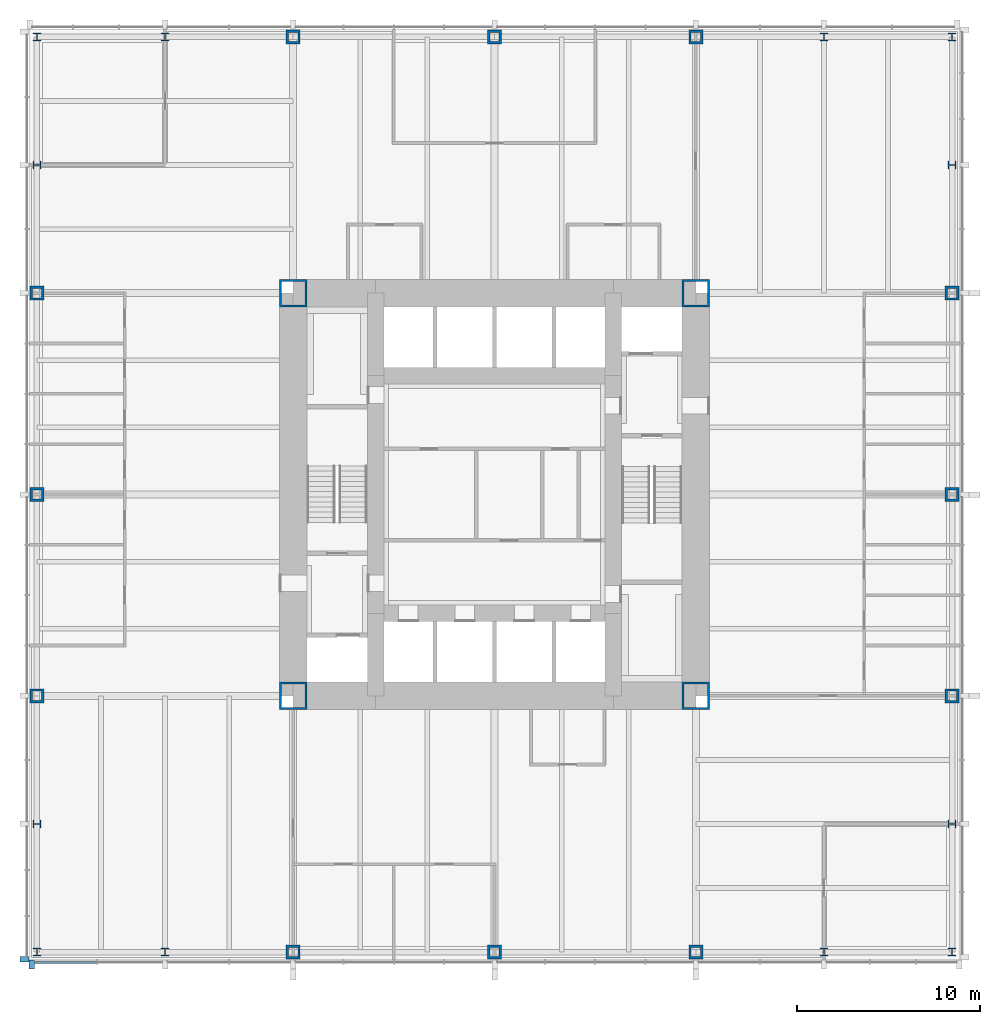
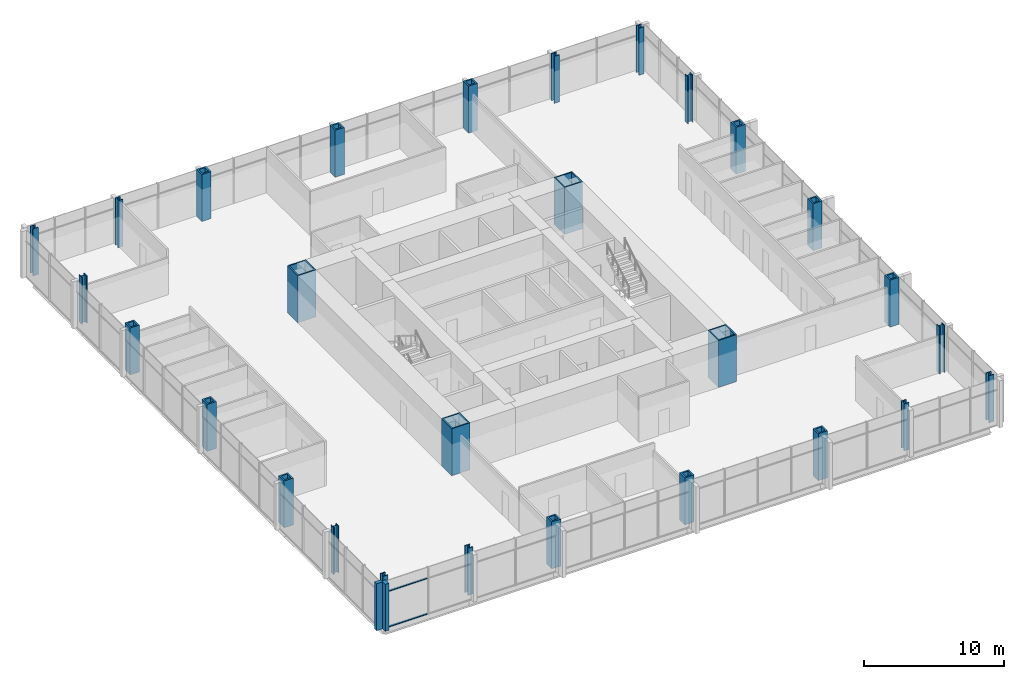
# One storey, part 1 of 13: 28 columns, 4 members, 2 elements without a shape of their own.
"""IFC4 building model written with IfcOpenShell, lengths in metres."""

from ifc_helpers import new_model, si_unit, direction, frame, origin, origin_2d, place, context, subcontext, project, spatial, rectangle, hollow_rectangle, i_section, extrude, material, material_profile, profile_set, type_object, element, aggregate, save


model = new_model("IFC4")

# Units and contexts
model_context = context("Model", 3, precision=1e-05, world=origin(), true_north=direction((0.0, 1.0)))
body_context = subcontext(model_context, "Body", "Model", "MODEL_VIEW")
ifc_project = project(units=[si_unit("LENGTHUNIT", "METRE"), si_unit("AREAUNIT", "SQUARE_METRE"), si_unit("VOLUMEUNIT", "CUBIC_METRE"), si_unit("PLANEANGLEUNIT", "RADIAN"), si_unit("MASSUNIT", "GRAM", prefix="KILO")], contexts=[model_context])

# Site, building, storey
site_placement = place(None, origin())
site = spatial("IfcSite", under=ifc_project, at=site_placement, CompositionType="ELEMENT")
building_placement = place(site_placement, origin())
building = spatial("IfcBuilding", under=site, at=building_placement, Name="Trevanion Tower", CompositionType="ELEMENT")
storey_placement = place(building_placement, frame((0.0, 0.0, 85.699951171875)))
storey = spatial("IfcBuildingStorey", under=building, at=storey_placement, Name="L20", CompositionType="ELEMENT", Elevation=85.699951171875)

# Columns
ifc_material_1 = material(Name="Steel ASTM A588 Grade 50", Category="steel")
ifc_material_profile_1 = material_profile(ifc_material_1, hollow_rectangle(XDim=0.761962890625, YDim=0.761962890625, WallThickness=0.126953125, at=origin_2d()), Name="BOX30X30X5")
ifc_profile_set_1 = profile_set([ifc_material_profile_1], Name="Steel ASTM A588 Grade 50")
column_type_1 = type_object("IfcColumnType", Name="C1 BOX30X30X5", PredefinedType="COLUMN", material=ifc_profile_set_1)
for number, where, z_axis, x_axis, name in (
    (1, (-25.0, 0.0, 0.0), (0.0, 0.0, 1.0), (0.0, 1.0, 0.0), "C1 3/H L20"),
    (2, (-25.0, -11.0, 0.0), (0.0, 0.0, 1.0), (0.0, 1.0, 0.0), "C1 3/F L20"),
    (3, (-11.0, -25.0, 0.0), (0.0, 0.0, 1.0), (1.0, 0.0, 0.0), "C1 8/A L20"),
    (4, (0.0, -25.0, 0.0), (0.0, 0.0, 1.0), (1.0, 0.0, 0.0), "C1 10/A L20"),
    (5, (11.0, -25.0, 0.0), (0.0, 0.0, 1.0), (1.0, 0.0, 0.0), "C1 12/A L20"),
    (6, (25.0, -11.0, 0.0), (0.0, 0.0, 1.0), (0.0, 1.0, 0.0), "C1 17/F L20"),
    (7, (25.0, 0.0, 0.0), (0.0, 0.0, 1.0), (0.0, 1.0, 0.0), "C1 17/H L20"),
    (8, (25.0, 11.0, 0.0), (0.0, 0.0, 1.0), (0.0, 1.0, 0.0), "C1 17/K L20"),
    (9, (11.0, 25.0, 0.0), (0.0, 0.0, 1.0), (1.0, 0.0, 0.0), "C1 12/Q L20"),
    (10, (0.0, 25.0, 0.0), (0.0, 0.0, 1.0), (1.0, 0.0, 0.0), "C1 10/Q L20"),
    (11, (-11.0, 25.0, 0.0), (0.0, 0.0, 1.0), (1.0, 0.0, 0.0), "C1 8/Q L20"),
    (12, (-25.0, 11.0, 0.0), (0.0, 0.0, 1.0), (0.0, 1.0, 0.0), "C1 3/K L20"),
):
    element("IfcColumn", number, at=place(storey_placement, frame(where, z_axis=z_axis, x_axis=x_axis)), inside=storey, type_object=column_type_1, Name=name, PredefinedType="COLUMN", context=body_context, shape_type="SweptSolid", body=[
        extrude(hollow_rectangle(XDim=0.761962890625, YDim=0.761962890625, WallThickness=0.126953125, at=origin_2d()), origin(), (0.0, 0.0, 1.0), 4.10009765625),
    ])
ifc_material_2 = material(Name="Steel ASTM A913 Grade 65", Category="steel")
ifc_material_profile_2 = material_profile(ifc_material_2, i_section(OverallWidth=0.419189453125, OverallDepth=0.45458984375, WebThickness=0.042236328125, FlangeThickness=0.067626953125, at=origin_2d()), Name="W14X370")
ifc_profile_set_2 = profile_set([ifc_material_profile_2], Name="Steel ASTM A913 Grade 65")
column_type_2 = type_object("IfcColumnType", Name="C2 W14X370", PredefinedType="COLUMN", material=ifc_profile_set_2)
for number, where, z_axis, x_axis, name in (
    (13, (-25.0, -18.0, 0.0), (0.0, 0.0, 1.0), (0.0, 1.0, 0.0), "C2 3/D L20"),
    (14, (-25.0, -25.0, 0.0), (0.0, 0.0, 1.0), (1.0, 0.0, 0.0), "C2 3/A L20"),
    (15, (-18.0, -25.0, 0.0), (0.0, 0.0, 1.0), (1.0, 0.0, 0.0), "C2 6/A L20"),
    (16, (18.0, -25.0, 0.0), (0.0, 0.0, 1.0), (1.0, 0.0, 0.0), "C2 14/A L20"),
    (17, (25.0, -25.0, 0.0), (0.0, 0.0, 1.0), (1.0, 0.0, 0.0), "C2 17/A L20"),
    (18, (25.0, -18.0, 0.0), (0.0, 0.0, 1.0), (0.0, 1.0, 0.0), "C2 17/D L20"),
    (19, (25.0, 18.0, 0.0), (0.0, 0.0, 1.0), (0.0, 1.0, 0.0), "C2 17/M L20"),
    (20, (25.0, 25.0, 0.0), (0.0, 0.0, 1.0), (1.0, 0.0, 0.0), "C2 17/Q L20"),
    (21, (18.0, 25.0, 0.0), (0.0, 0.0, 1.0), (1.0, 0.0, 0.0), "C2 14/Q L20"),
    (22, (-18.0, 25.0, 0.0), (0.0, 0.0, 1.0), (1.0, 0.0, 0.0), "C2 6/Q L20"),
    (23, (-25.0, 25.0, 0.0), (0.0, 0.0, 1.0), (1.0, 0.0, 0.0), "C2 3/Q L20"),
    (24, (-25.0, 18.0, 0.0), (0.0, 0.0, 1.0), (0.0, 1.0, 0.0), "C2 3/M L20"),
):
    element("IfcColumn", number, at=place(storey_placement, frame(where, z_axis=z_axis, x_axis=x_axis)), inside=storey, type_object=column_type_2, Name=name, PredefinedType="COLUMN", context=body_context, shape_type="SweptSolid", body=[
        extrude(i_section(OverallWidth=0.419189453125, OverallDepth=0.45458984375, WebThickness=0.042236328125, FlangeThickness=0.067626953125, at=origin_2d()), origin(), (0.0, 0.0, 1.0), 4.10009765625),
    ])
ifc_material_3 = material(Name="Steel ASTM A572 Grade 50", Category="steel")
ifc_material_profile_3 = material_profile(ifc_material_3, hollow_rectangle(XDim=1.49853515625, YDim=1.49853515625, WallThickness=0.1015625, at=origin_2d()), Name="BOX59X59X4")
ifc_profile_set_3 = profile_set([ifc_material_profile_3], Name="Steel ASTM A572 Grade 50")
column_type_3 = type_object("IfcColumnType", Name="CB1 BOX59X59X4", PredefinedType="COLUMN", material=ifc_profile_set_3)
for number, where, z_axis, x_axis, name in (
    (25, (11.0, 11.0, 0.0), (0.0, 0.0, 1.0), (1.0, 0.0, 0.0), "CB1 NE L20"),
    (26, (-11.0, 11.0, 0.0), (0.0, 0.0, 1.0), (1.0, 0.0, 0.0), "CB1 NW L20"),
    (27, (-11.0, -11.0, 0.0), (0.0, 0.0, 1.0), (1.0, 0.0, 0.0), "CB1 SW L20"),
    (28, (11.0, -11.0, 0.0), (0.0, 0.0, 1.0), (1.0, 0.0, 0.0), "CB1 SE L20"),
):
    element("IfcColumn", number, at=place(storey_placement, frame(where, z_axis=z_axis, x_axis=x_axis)), inside=storey, type_object=column_type_3, Name=name, PredefinedType="COLUMN", context=body_context, shape_type="SweptSolid", body=[
        extrude(hollow_rectangle(XDim=1.49853515625, YDim=1.49853515625, WallThickness=0.1015625, at=origin_2d()), origin(), (0.0, 0.0, 1.0), 4.10009765625),
    ])

# Curtain wall, member
ifc_material_4 = material(Name="Aluminium and glass", Category="aluminium")
curtain_wall_type = type_object("IfcCurtainWallType", Name="CW1 curtain wall", PredefinedType="USERDEFINED", material=ifc_material_4)
curtain_wall_1_placement = place(storey_placement, origin())
curtain_wall_1 = element("IfcCurtainWall", 29, at=curtain_wall_1_placement, inside=storey, type_object=curtain_wall_type, Name="CW1 L20 2", ObjectType="UNITISED CURTAIN WALL", PredefinedType="USERDEFINED")
ifc_material_5 = material(Name="Aluminium extrusion, anodised bronze", Category="aluminium")
ifc_material_profile_4 = material_profile(ifc_material_5, rectangle(XDim=0.300048828125, YDim=0.5, at=origin_2d()), Name="CW1 pier mullion")
ifc_profile_set_4 = profile_set([ifc_material_profile_4], Name="Aluminium extrusion, anodised bronze")
member_type_1 = type_object("IfcMemberType", Name="CW1 pier mullion", PredefinedType="MULLION", material=ifc_profile_set_4)
member_1_placement = place(storey_placement, frame((-25.675048828125, -25.39990234375, -0.18994140625), z_axis=(0.0, 0.0, 1.0), x_axis=(0.0, -1.0, 0.0)))
member_1 = element("IfcMember", 30, at=member_1_placement, type_object=member_type_1, Name="CW1 pier mullion 18", PredefinedType="MULLION", context=body_context, shape_type="SweptSolid", body=[
    extrude(rectangle(XDim=0.300048828125, YDim=0.5, at=origin_2d()), origin(), (0.0, 0.0, 1.0), 4.10009765625),
])
aggregate(curtain_wall_1, [member_1])

# Curtain wall, members
curtain_wall_2_placement = place(storey_placement, origin())
curtain_wall_2 = element("IfcCurtainWall", 31, at=curtain_wall_2_placement, inside=storey, type_object=curtain_wall_type, Name="CW1 L20 3", ObjectType="UNITISED CURTAIN WALL", PredefinedType="USERDEFINED")
member_2_placement = place(storey_placement, frame((-25.27001953125, -25.675048828125, -0.18994140625), z_axis=(0.0, 0.0, 1.0), x_axis=(1.0, 0.0, 0.0)))
member_2 = element("IfcMember", 32, at=member_2_placement, type_object=member_type_1, Name="CW1 pier mullion 1", PredefinedType="MULLION", context=body_context, shape_type="SweptSolid", body=[
    extrude(rectangle(XDim=0.300048828125, YDim=0.5, at=origin_2d()), origin(), (0.0, 0.0, 1.0), 4.10009765625),
])
ifc_material_6 = material(Name="Aluminium extrusion, anodised bronze", Category="aluminium")
ifc_material_profile_5 = material_profile(ifc_material_6, rectangle(XDim=0.14990234375, YDim=0.074951171875, at=origin_2d()), Name="CW1 transom")
ifc_profile_set_5 = profile_set([ifc_material_profile_5], Name="Aluminium extrusion, anodised bronze")
member_type_2 = type_object("IfcMemberType", Name="CW1 transom", PredefinedType="USERDEFINED", material=ifc_profile_set_5)
member_3_placement = place(storey_placement, frame((-25.1201171875, -25.550048828125, -0.15234375), z_axis=(1.0, 0.0, 0.0), x_axis=(0.0, 1.0, 0.0)))
member_3 = element("IfcMember", 33, at=member_3_placement, type_object=member_type_2, Name="CW1 transom 1.1", ObjectType="TRANSOM", PredefinedType="USERDEFINED", context=body_context, shape_type="SweptSolid", body=[
    extrude(rectangle(XDim=0.14990234375, YDim=0.074951171875, at=origin_2d()), origin(), (0.0, 0.0, 1.0), 3.37255859375),
])
member_4_placement = place(storey_placement, frame((-25.1201171875, -25.550048828125, 2.9599609375), z_axis=(1.0, 0.0, 0.0), x_axis=(0.0, 1.0, 0.0)))
member_4 = element("IfcMember", 34, at=member_4_placement, type_object=member_type_2, Name="CW1 transom 1.2", ObjectType="TRANSOM", PredefinedType="USERDEFINED", context=body_context, shape_type="SweptSolid", body=[
    extrude(rectangle(XDim=0.14990234375, YDim=0.074951171875, at=origin_2d()), origin(), (0.0, 0.0, 1.0), 3.37255859375),
])
aggregate(curtain_wall_2, [member_2, member_3, member_4])

save(model, "model.ifc")
